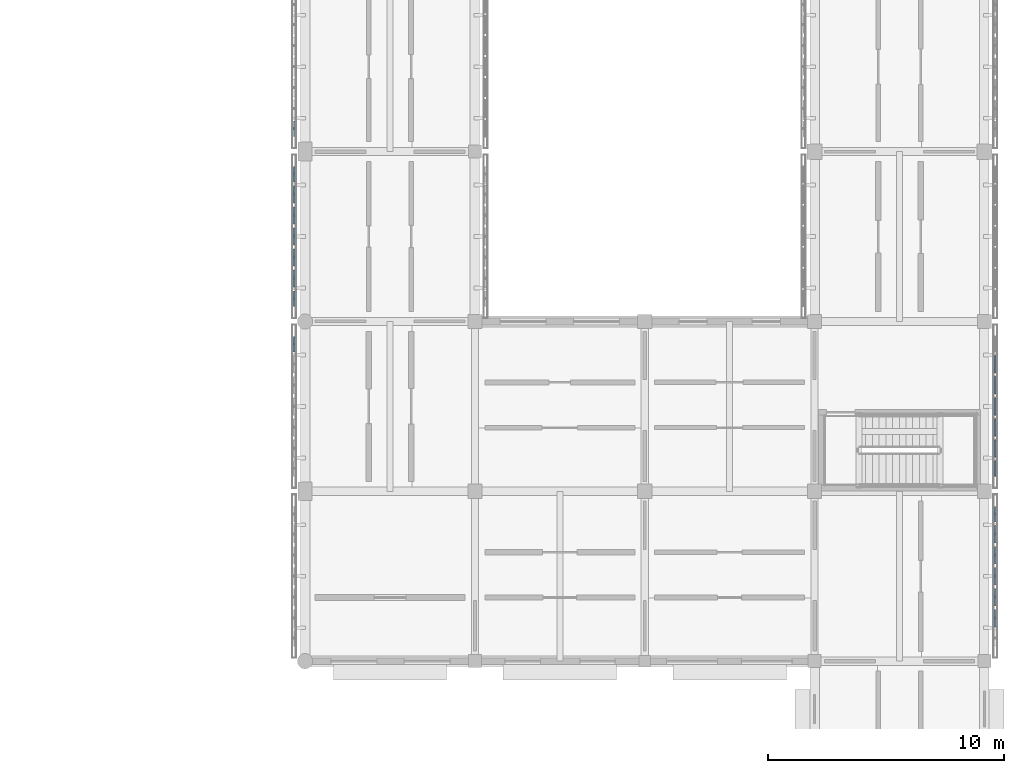
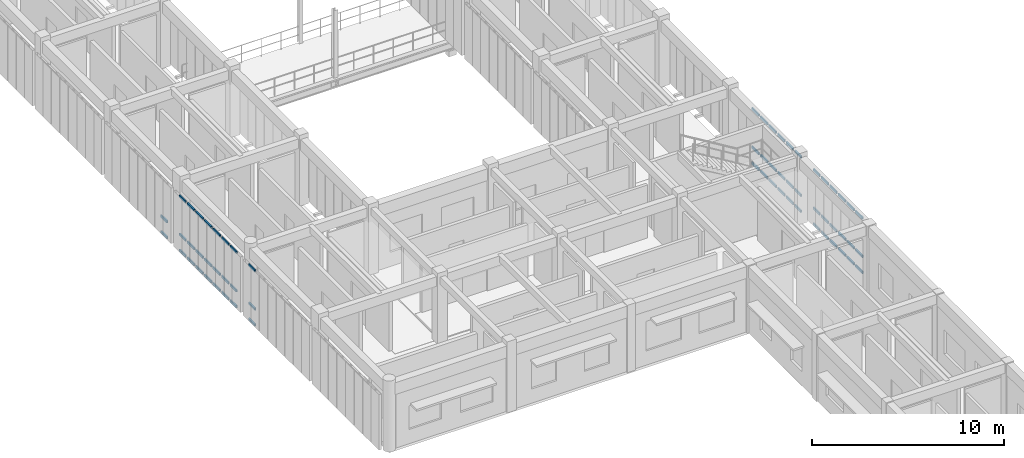
# One storey, part 84 of 171: 62 members, 5 elements without a shape of their own.
"""IFC4 building model written with IfcOpenShell, lengths in metres."""

from ifc_helpers import new_model, si_unit, direction, frame, origin, origin_2d, place, context, subcontext, project, spatial, hollow_rectangle, extrude, material, material_profile, profile_set, type_object, element, aggregate, save


model = new_model("IFC4")

# Units and contexts
model_context = context("Model", 3, precision=1e-05, world=origin(), true_north=direction((0.0, 1.0)))
body_context = subcontext(model_context, "Body", "Model", "MODEL_VIEW")
ifc_project = project(units=[si_unit("LENGTHUNIT", "METRE"), si_unit("AREAUNIT", "SQUARE_METRE"), si_unit("VOLUMEUNIT", "CUBIC_METRE"), si_unit("PLANEANGLEUNIT", "RADIAN"), si_unit("MASSUNIT", "GRAM", prefix="KILO")], contexts=[model_context])

# Site, building, storey
site_placement = place(None, origin())
site = spatial("IfcSite", under=ifc_project, at=site_placement, CompositionType="ELEMENT")
building_placement = place(site_placement, origin())
building = spatial("IfcBuilding", under=site, at=building_placement, Name="Aldebral Square Health Centre", CompositionType="ELEMENT")
storey_placement = place(building_placement, frame((0.0, 0.0, 4.5)))
storey = spatial("IfcBuildingStorey", under=building, at=storey_placement, Name="L01", CompositionType="ELEMENT", Elevation=4.5)

# Curtain wall, members
ifc_material_1 = material(Name="Aluminium and low-E solar glass", Category="aluminium")
curtain_wall_type = type_object("IfcCurtainWallType", Name="CW-FIN-SYS", PredefinedType="USERDEFINED", material=ifc_material_1)
curtain_wall_1_placement = place(storey_placement, origin())
curtain_wall_1 = element("IfcCurtainWall", 1, at=curtain_wall_1_placement, inside=storey, type_object=curtain_wall_type, Name="L01 V5 finned curtain wall L01-V5-19-08-W", ObjectType="SOLAR_CURTAIN_WALL", PredefinedType="USERDEFINED")
ifc_material_2 = material(Name="Anodised aluminium transom", Category="aluminium")
ifc_material_profile = material_profile(ifc_material_2, hollow_rectangle(XDim=0.074951171875, YDim=0.14990234375, WallThickness=0.00390625, at=origin_2d()), Name="CWT 75x150x4")
ifc_profile_set = profile_set([ifc_material_profile], Name="Anodised aluminium transom")
member_type = type_object("IfcMemberType", Name="CWT-STD", PredefinedType="USERDEFINED", material=ifc_profile_set)
member_1_placement = place(storey_placement, frame((136.340087890625, 64.159912109375, 0.03759765625), z_axis=(0.0, -1.0, 0.0), x_axis=(1.0, 0.0, 0.0)))
member_1 = element("IfcMember", 2, at=member_1_placement, type_object=member_type, Name="CW1 transom 1.1", ObjectType="TRANSOM", PredefinedType="USERDEFINED", context=body_context, shape_type="SweptSolid", body=[
    extrude(hollow_rectangle(XDim=0.074951171875, YDim=0.14990234375, WallThickness=0.00390625, at=origin_2d()), origin(), (0.0, 0.0, 1.0), 0.6513671875),
])
member_2_placement = place(storey_placement, frame((136.340087890625, 64.159912109375, 1.050048828125), z_axis=(0.0, -1.0, 0.0), x_axis=(1.0, 0.0, 0.0)))
member_2 = element("IfcMember", 3, at=member_2_placement, type_object=member_type, Name="CW1 transom 1.2", ObjectType="TRANSOM", PredefinedType="USERDEFINED", context=body_context, shape_type="SweptSolid", body=[
    extrude(hollow_rectangle(XDim=0.074951171875, YDim=0.14990234375, WallThickness=0.00390625, at=origin_2d()), origin(), (0.0, 0.0, 1.0), 0.6513671875),
])
member_3_placement = place(storey_placement, frame((136.340087890625, 64.159912109375, 3.482421875), z_axis=(0.0, -1.0, 0.0), x_axis=(1.0, 0.0, 0.0)))
member_3 = element("IfcMember", 4, at=member_3_placement, type_object=member_type, Name="CW1 transom 1.3", ObjectType="TRANSOM", PredefinedType="USERDEFINED", context=body_context, shape_type="SweptSolid", body=[
    extrude(hollow_rectangle(XDim=0.074951171875, YDim=0.14990234375, WallThickness=0.00390625, at=origin_2d()), origin(), (0.0, 0.0, 1.0), 0.6513671875),
])
aggregate(curtain_wall_1, [member_1, member_2, member_3])

curtain_wall_2_placement = place(storey_placement, origin())
curtain_wall_2 = element("IfcCurtainWall", 5, at=curtain_wall_2_placement, inside=storey, type_object=curtain_wall_type, Name="L01 V5 finned curtain wall L01-V5-19-09-W", ObjectType="SOLAR_CURTAIN_WALL", PredefinedType="USERDEFINED")
member_4_placement = place(storey_placement, frame((136.340087890625, 71.360107421875, 0.03759765625), z_axis=(0.0, -1.0, 0.0), x_axis=(1.0, 0.0, 0.0)))
member_4 = element("IfcMember", 6, at=member_4_placement, type_object=member_type, Name="CW1 transom 1.1", ObjectType="TRANSOM", PredefinedType="USERDEFINED", context=body_context, shape_type="SweptSolid", body=[
    extrude(hollow_rectangle(XDim=0.074951171875, YDim=0.14990234375, WallThickness=0.00390625, at=origin_2d()), origin(), (0.0, 0.0, 1.0), 0.651611328125),
])
member_5_placement = place(storey_placement, frame((136.340087890625, 71.360107421875, 1.050048828125), z_axis=(0.0, -1.0, 0.0), x_axis=(1.0, 0.0, 0.0)))
member_5 = element("IfcMember", 7, at=member_5_placement, type_object=member_type, Name="CW1 transom 1.2", ObjectType="TRANSOM", PredefinedType="USERDEFINED", context=body_context, shape_type="SweptSolid", body=[
    extrude(hollow_rectangle(XDim=0.074951171875, YDim=0.14990234375, WallThickness=0.00390625, at=origin_2d()), origin(), (0.0, 0.0, 1.0), 0.651611328125),
])
member_6_placement = place(storey_placement, frame((136.340087890625, 71.360107421875, 3.482421875), z_axis=(0.0, -1.0, 0.0), x_axis=(1.0, 0.0, 0.0)))
member_6 = element("IfcMember", 8, at=member_6_placement, type_object=member_type, Name="CW1 transom 1.3", ObjectType="TRANSOM", PredefinedType="USERDEFINED", context=body_context, shape_type="SweptSolid", body=[
    extrude(hollow_rectangle(XDim=0.074951171875, YDim=0.14990234375, WallThickness=0.00390625, at=origin_2d()), origin(), (0.0, 0.0, 1.0), 0.651611328125),
])
member_7_placement = place(storey_placement, frame((136.340087890625, 70.548583984375, 0.03759765625), z_axis=(0.0, -1.0, 0.0), x_axis=(1.0, 0.0, 0.0)))
member_7 = element("IfcMember", 9, at=member_7_placement, type_object=member_type, Name="CW1 transom 2.1", ObjectType="TRANSOM", PredefinedType="USERDEFINED", context=body_context, shape_type="SweptSolid", body=[
    extrude(hollow_rectangle(XDim=0.074951171875, YDim=0.14990234375, WallThickness=0.00390625, at=origin_2d()), origin(), (0.0, 0.0, 1.0), 0.7314453125),
])
member_8_placement = place(storey_placement, frame((136.340087890625, 70.548583984375, 1.050048828125), z_axis=(0.0, -1.0, 0.0), x_axis=(1.0, 0.0, 0.0)))
member_8 = element("IfcMember", 10, at=member_8_placement, type_object=member_type, Name="CW1 transom 2.2", ObjectType="TRANSOM", PredefinedType="USERDEFINED", context=body_context, shape_type="SweptSolid", body=[
    extrude(hollow_rectangle(XDim=0.074951171875, YDim=0.14990234375, WallThickness=0.00390625, at=origin_2d()), origin(), (0.0, 0.0, 1.0), 0.7314453125),
])
member_9_placement = place(storey_placement, frame((136.340087890625, 70.548583984375, 3.482421875), z_axis=(0.0, -1.0, 0.0), x_axis=(1.0, 0.0, 0.0)))
member_9 = element("IfcMember", 11, at=member_9_placement, type_object=member_type, Name="CW1 transom 2.3", ObjectType="TRANSOM", PredefinedType="USERDEFINED", context=body_context, shape_type="SweptSolid", body=[
    extrude(hollow_rectangle(XDim=0.074951171875, YDim=0.14990234375, WallThickness=0.00390625, at=origin_2d()), origin(), (0.0, 0.0, 1.0), 0.7314453125),
])
member_10_placement = place(storey_placement, frame((136.340087890625, 69.6572265625, 0.03759765625), z_axis=(0.0, -1.0, 0.0), x_axis=(1.0, 0.0, 0.0)))
member_10 = element("IfcMember", 12, at=member_10_placement, type_object=member_type, Name="CW1 transom 3.1", ObjectType="TRANSOM", PredefinedType="USERDEFINED", context=body_context, shape_type="SweptSolid", body=[
    extrude(hollow_rectangle(XDim=0.074951171875, YDim=0.14990234375, WallThickness=0.00390625, at=origin_2d()), origin(), (0.0, 0.0, 1.0), 0.7314453125),
])
member_11_placement = place(storey_placement, frame((136.340087890625, 69.6572265625, 1.050048828125), z_axis=(0.0, -1.0, 0.0), x_axis=(1.0, 0.0, 0.0)))
member_11 = element("IfcMember", 13, at=member_11_placement, type_object=member_type, Name="CW1 transom 3.2", ObjectType="TRANSOM", PredefinedType="USERDEFINED", context=body_context, shape_type="SweptSolid", body=[
    extrude(hollow_rectangle(XDim=0.074951171875, YDim=0.14990234375, WallThickness=0.00390625, at=origin_2d()), origin(), (0.0, 0.0, 1.0), 0.7314453125),
])
member_12_placement = place(storey_placement, frame((136.340087890625, 69.6572265625, 3.482421875), z_axis=(0.0, -1.0, 0.0), x_axis=(1.0, 0.0, 0.0)))
member_12 = element("IfcMember", 14, at=member_12_placement, type_object=member_type, Name="CW1 transom 3.3", ObjectType="TRANSOM", PredefinedType="USERDEFINED", context=body_context, shape_type="SweptSolid", body=[
    extrude(hollow_rectangle(XDim=0.074951171875, YDim=0.14990234375, WallThickness=0.00390625, at=origin_2d()), origin(), (0.0, 0.0, 1.0), 0.7314453125),
])
member_13_placement = place(storey_placement, frame((136.340087890625, 68.765625, 0.03759765625), z_axis=(0.0, -1.0, 0.0), x_axis=(1.0, 0.0, 0.0)))
member_13 = element("IfcMember", 15, at=member_13_placement, type_object=member_type, Name="CW1 transom 4.1", ObjectType="TRANSOM", PredefinedType="USERDEFINED", context=body_context, shape_type="SweptSolid", body=[
    extrude(hollow_rectangle(XDim=0.074951171875, YDim=0.14990234375, WallThickness=0.00390625, at=origin_2d()), origin(), (0.0, 0.0, 1.0), 0.7314453125),
])
member_14_placement = place(storey_placement, frame((136.340087890625, 68.765625, 1.050048828125), z_axis=(0.0, -1.0, 0.0), x_axis=(1.0, 0.0, 0.0)))
member_14 = element("IfcMember", 16, at=member_14_placement, type_object=member_type, Name="CW1 transom 4.2", ObjectType="TRANSOM", PredefinedType="USERDEFINED", context=body_context, shape_type="SweptSolid", body=[
    extrude(hollow_rectangle(XDim=0.074951171875, YDim=0.14990234375, WallThickness=0.00390625, at=origin_2d()), origin(), (0.0, 0.0, 1.0), 0.7314453125),
])
member_15_placement = place(storey_placement, frame((136.340087890625, 68.765625, 3.482421875), z_axis=(0.0, -1.0, 0.0), x_axis=(1.0, 0.0, 0.0)))
member_15 = element("IfcMember", 17, at=member_15_placement, type_object=member_type, Name="CW1 transom 4.3", ObjectType="TRANSOM", PredefinedType="USERDEFINED", context=body_context, shape_type="SweptSolid", body=[
    extrude(hollow_rectangle(XDim=0.074951171875, YDim=0.14990234375, WallThickness=0.00390625, at=origin_2d()), origin(), (0.0, 0.0, 1.0), 0.7314453125),
])
member_16_placement = place(storey_placement, frame((136.340087890625, 67.874267578125, 0.03759765625), z_axis=(0.0, -1.0, 0.0), x_axis=(1.0, 0.0, 0.0)))
member_16 = element("IfcMember", 18, at=member_16_placement, type_object=member_type, Name="CW1 transom 5.1", ObjectType="TRANSOM", PredefinedType="USERDEFINED", context=body_context, shape_type="SweptSolid", body=[
    extrude(hollow_rectangle(XDim=0.074951171875, YDim=0.14990234375, WallThickness=0.00390625, at=origin_2d()), origin(), (0.0, 0.0, 1.0), 0.7314453125),
])
member_17_placement = place(storey_placement, frame((136.340087890625, 67.874267578125, 1.050048828125), z_axis=(0.0, -1.0, 0.0), x_axis=(1.0, 0.0, 0.0)))
member_17 = element("IfcMember", 19, at=member_17_placement, type_object=member_type, Name="CW1 transom 5.2", ObjectType="TRANSOM", PredefinedType="USERDEFINED", context=body_context, shape_type="SweptSolid", body=[
    extrude(hollow_rectangle(XDim=0.074951171875, YDim=0.14990234375, WallThickness=0.00390625, at=origin_2d()), origin(), (0.0, 0.0, 1.0), 0.7314453125),
])
member_18_placement = place(storey_placement, frame((136.340087890625, 67.874267578125, 3.482421875), z_axis=(0.0, -1.0, 0.0), x_axis=(1.0, 0.0, 0.0)))
member_18 = element("IfcMember", 20, at=member_18_placement, type_object=member_type, Name="CW1 transom 5.3", ObjectType="TRANSOM", PredefinedType="USERDEFINED", context=body_context, shape_type="SweptSolid", body=[
    extrude(hollow_rectangle(XDim=0.074951171875, YDim=0.14990234375, WallThickness=0.00390625, at=origin_2d()), origin(), (0.0, 0.0, 1.0), 0.7314453125),
])
member_19_placement = place(storey_placement, frame((136.340087890625, 66.98291015625, 0.03759765625), z_axis=(0.0, -1.0, 0.0), x_axis=(1.0, 0.0, 0.0)))
member_19 = element("IfcMember", 21, at=member_19_placement, type_object=member_type, Name="CW1 transom 6.1", ObjectType="TRANSOM", PredefinedType="USERDEFINED", context=body_context, shape_type="SweptSolid", body=[
    extrude(hollow_rectangle(XDim=0.074951171875, YDim=0.14990234375, WallThickness=0.00390625, at=origin_2d()), origin(), (0.0, 0.0, 1.0), 0.7314453125),
])
member_20_placement = place(storey_placement, frame((136.340087890625, 66.98291015625, 1.050048828125), z_axis=(0.0, -1.0, 0.0), x_axis=(1.0, 0.0, 0.0)))
member_20 = element("IfcMember", 22, at=member_20_placement, type_object=member_type, Name="CW1 transom 6.2", ObjectType="TRANSOM", PredefinedType="USERDEFINED", context=body_context, shape_type="SweptSolid", body=[
    extrude(hollow_rectangle(XDim=0.074951171875, YDim=0.14990234375, WallThickness=0.00390625, at=origin_2d()), origin(), (0.0, 0.0, 1.0), 0.7314453125),
])
member_21_placement = place(storey_placement, frame((136.340087890625, 66.98291015625, 3.482421875), z_axis=(0.0, -1.0, 0.0), x_axis=(1.0, 0.0, 0.0)))
member_21 = element("IfcMember", 23, at=member_21_placement, type_object=member_type, Name="CW1 transom 6.3", ObjectType="TRANSOM", PredefinedType="USERDEFINED", context=body_context, shape_type="SweptSolid", body=[
    extrude(hollow_rectangle(XDim=0.074951171875, YDim=0.14990234375, WallThickness=0.00390625, at=origin_2d()), origin(), (0.0, 0.0, 1.0), 0.7314453125),
])
member_22_placement = place(storey_placement, frame((136.340087890625, 66.09130859375, 0.03759765625), z_axis=(0.0, -1.0, 0.0), x_axis=(1.0, 0.0, 0.0)))
member_22 = element("IfcMember", 24, at=member_22_placement, type_object=member_type, Name="CW1 transom 7.1", ObjectType="TRANSOM", PredefinedType="USERDEFINED", context=body_context, shape_type="SweptSolid", body=[
    extrude(hollow_rectangle(XDim=0.074951171875, YDim=0.14990234375, WallThickness=0.00390625, at=origin_2d()), origin(), (0.0, 0.0, 1.0), 0.6513671875),
])
member_23_placement = place(storey_placement, frame((136.340087890625, 66.09130859375, 1.050048828125), z_axis=(0.0, -1.0, 0.0), x_axis=(1.0, 0.0, 0.0)))
member_23 = element("IfcMember", 25, at=member_23_placement, type_object=member_type, Name="CW1 transom 7.2", ObjectType="TRANSOM", PredefinedType="USERDEFINED", context=body_context, shape_type="SweptSolid", body=[
    extrude(hollow_rectangle(XDim=0.074951171875, YDim=0.14990234375, WallThickness=0.00390625, at=origin_2d()), origin(), (0.0, 0.0, 1.0), 0.6513671875),
])
member_24_placement = place(storey_placement, frame((136.340087890625, 66.09130859375, 3.482421875), z_axis=(0.0, -1.0, 0.0), x_axis=(1.0, 0.0, 0.0)))
member_24 = element("IfcMember", 26, at=member_24_placement, type_object=member_type, Name="CW1 transom 7.3", ObjectType="TRANSOM", PredefinedType="USERDEFINED", context=body_context, shape_type="SweptSolid", body=[
    extrude(hollow_rectangle(XDim=0.074951171875, YDim=0.14990234375, WallThickness=0.00390625, at=origin_2d()), origin(), (0.0, 0.0, 1.0), 0.6513671875),
])
aggregate(curtain_wall_2, [member_4, member_5, member_6, member_7, member_8, member_9, member_10, member_11, member_12, member_13, member_14, member_15, member_16, member_17, member_18, member_19, member_20, member_21, member_22, member_23, member_24])

curtain_wall_3_placement = place(storey_placement, origin())
curtain_wall_3 = element("IfcCurtainWall", 27, at=curtain_wall_3_placement, inside=storey, type_object=curtain_wall_type, Name="L01 V5 finned curtain wall L01-V5-19-10-W", ObjectType="SOLAR_CURTAIN_WALL", PredefinedType="USERDEFINED")
member_25_placement = place(storey_placement, frame((136.340087890625, 73.29150390625, 0.03759765625), z_axis=(0.0, -1.0, 0.0), x_axis=(1.0, 0.0, 0.0)))
member_25 = element("IfcMember", 28, at=member_25_placement, type_object=member_type, Name="CW1 transom 7.1", ObjectType="TRANSOM", PredefinedType="USERDEFINED", context=body_context, shape_type="SweptSolid", body=[
    extrude(hollow_rectangle(XDim=0.074951171875, YDim=0.14990234375, WallThickness=0.00390625, at=origin_2d()), origin(), (0.0, 0.0, 1.0), 0.651611328125),
])
member_26_placement = place(storey_placement, frame((136.340087890625, 73.29150390625, 1.050048828125), z_axis=(0.0, -1.0, 0.0), x_axis=(1.0, 0.0, 0.0)))
member_26 = element("IfcMember", 29, at=member_26_placement, type_object=member_type, Name="CW1 transom 7.2", ObjectType="TRANSOM", PredefinedType="USERDEFINED", context=body_context, shape_type="SweptSolid", body=[
    extrude(hollow_rectangle(XDim=0.074951171875, YDim=0.14990234375, WallThickness=0.00390625, at=origin_2d()), origin(), (0.0, 0.0, 1.0), 0.651611328125),
])
aggregate(curtain_wall_3, [member_25, member_26])

curtain_wall_4_placement = place(storey_placement, origin())
curtain_wall_4 = element("IfcCurtainWall", 30, at=curtain_wall_4_placement, inside=storey, type_object=curtain_wall_type, Name="L01 V5 finned curtain wall L01-V5-22-07-E", ObjectType="SOLAR_CURTAIN_WALL", PredefinedType="USERDEFINED")
member_27_placement = place(storey_placement, frame((166.06005859375, 51.851318359375, 0.03759765625), z_axis=(0.0, 1.0, 0.0), x_axis=(-1.0, 0.0, 0.0)))
member_27 = element("IfcMember", 31, at=member_27_placement, type_object=member_type, Name="CW1 transom 2.1", ObjectType="TRANSOM", PredefinedType="USERDEFINED", context=body_context, shape_type="SweptSolid", body=[
    extrude(hollow_rectangle(XDim=0.074951171875, YDim=0.14990234375, WallThickness=0.00390625, at=origin_2d()), origin(), (0.0, 0.0, 1.0), 0.7314453125),
])
member_28_placement = place(storey_placement, frame((166.06005859375, 51.851318359375, 1.050048828125), z_axis=(0.0, 1.0, 0.0), x_axis=(-1.0, 0.0, 0.0)))
member_28 = element("IfcMember", 32, at=member_28_placement, type_object=member_type, Name="CW1 transom 2.2", ObjectType="TRANSOM", PredefinedType="USERDEFINED", context=body_context, shape_type="SweptSolid", body=[
    extrude(hollow_rectangle(XDim=0.074951171875, YDim=0.14990234375, WallThickness=0.00390625, at=origin_2d()), origin(), (0.0, 0.0, 1.0), 0.7314453125),
])
member_29_placement = place(storey_placement, frame((166.06005859375, 51.851318359375, 3.482421875), z_axis=(0.0, 1.0, 0.0), x_axis=(-1.0, 0.0, 0.0)))
member_29 = element("IfcMember", 33, at=member_29_placement, type_object=member_type, Name="CW1 transom 2.3", ObjectType="TRANSOM", PredefinedType="USERDEFINED", context=body_context, shape_type="SweptSolid", body=[
    extrude(hollow_rectangle(XDim=0.074951171875, YDim=0.14990234375, WallThickness=0.00390625, at=origin_2d()), origin(), (0.0, 0.0, 1.0), 0.7314453125),
])
member_30_placement = place(storey_placement, frame((166.06005859375, 52.742919921875, 0.03759765625), z_axis=(0.0, 1.0, 0.0), x_axis=(-1.0, 0.0, 0.0)))
member_30 = element("IfcMember", 34, at=member_30_placement, type_object=member_type, Name="CW1 transom 3.1", ObjectType="TRANSOM", PredefinedType="USERDEFINED", context=body_context, shape_type="SweptSolid", body=[
    extrude(hollow_rectangle(XDim=0.074951171875, YDim=0.14990234375, WallThickness=0.00390625, at=origin_2d()), origin(), (0.0, 0.0, 1.0), 0.7314453125),
])
member_31_placement = place(storey_placement, frame((166.06005859375, 52.742919921875, 1.050048828125), z_axis=(0.0, 1.0, 0.0), x_axis=(-1.0, 0.0, 0.0)))
member_31 = element("IfcMember", 35, at=member_31_placement, type_object=member_type, Name="CW1 transom 3.2", ObjectType="TRANSOM", PredefinedType="USERDEFINED", context=body_context, shape_type="SweptSolid", body=[
    extrude(hollow_rectangle(XDim=0.074951171875, YDim=0.14990234375, WallThickness=0.00390625, at=origin_2d()), origin(), (0.0, 0.0, 1.0), 0.7314453125),
])
member_32_placement = place(storey_placement, frame((166.06005859375, 52.742919921875, 3.482421875), z_axis=(0.0, 1.0, 0.0), x_axis=(-1.0, 0.0, 0.0)))
member_32 = element("IfcMember", 36, at=member_32_placement, type_object=member_type, Name="CW1 transom 3.3", ObjectType="TRANSOM", PredefinedType="USERDEFINED", context=body_context, shape_type="SweptSolid", body=[
    extrude(hollow_rectangle(XDim=0.074951171875, YDim=0.14990234375, WallThickness=0.00390625, at=origin_2d()), origin(), (0.0, 0.0, 1.0), 0.7314453125),
])
member_33_placement = place(storey_placement, frame((166.06005859375, 53.63427734375, 0.03759765625), z_axis=(0.0, 1.0, 0.0), x_axis=(-1.0, 0.0, 0.0)))
member_33 = element("IfcMember", 37, at=member_33_placement, type_object=member_type, Name="CW1 transom 4.1", ObjectType="TRANSOM", PredefinedType="USERDEFINED", context=body_context, shape_type="SweptSolid", body=[
    extrude(hollow_rectangle(XDim=0.074951171875, YDim=0.14990234375, WallThickness=0.00390625, at=origin_2d()), origin(), (0.0, 0.0, 1.0), 0.7314453125),
])
member_34_placement = place(storey_placement, frame((166.06005859375, 53.63427734375, 1.050048828125), z_axis=(0.0, 1.0, 0.0), x_axis=(-1.0, 0.0, 0.0)))
member_34 = element("IfcMember", 38, at=member_34_placement, type_object=member_type, Name="CW1 transom 4.2", ObjectType="TRANSOM", PredefinedType="USERDEFINED", context=body_context, shape_type="SweptSolid", body=[
    extrude(hollow_rectangle(XDim=0.074951171875, YDim=0.14990234375, WallThickness=0.00390625, at=origin_2d()), origin(), (0.0, 0.0, 1.0), 0.7314453125),
])
member_35_placement = place(storey_placement, frame((166.06005859375, 53.63427734375, 3.482421875), z_axis=(0.0, 1.0, 0.0), x_axis=(-1.0, 0.0, 0.0)))
member_35 = element("IfcMember", 39, at=member_35_placement, type_object=member_type, Name="CW1 transom 4.3", ObjectType="TRANSOM", PredefinedType="USERDEFINED", context=body_context, shape_type="SweptSolid", body=[
    extrude(hollow_rectangle(XDim=0.074951171875, YDim=0.14990234375, WallThickness=0.00390625, at=origin_2d()), origin(), (0.0, 0.0, 1.0), 0.7314453125),
])
member_36_placement = place(storey_placement, frame((166.06005859375, 54.525634765625, 0.03759765625), z_axis=(0.0, 1.0, 0.0), x_axis=(-1.0, 0.0, 0.0)))
member_36 = element("IfcMember", 40, at=member_36_placement, type_object=member_type, Name="CW1 transom 5.1", ObjectType="TRANSOM", PredefinedType="USERDEFINED", context=body_context, shape_type="SweptSolid", body=[
    extrude(hollow_rectangle(XDim=0.074951171875, YDim=0.14990234375, WallThickness=0.00390625, at=origin_2d()), origin(), (0.0, 0.0, 1.0), 0.7314453125),
])
member_37_placement = place(storey_placement, frame((166.06005859375, 54.525634765625, 1.050048828125), z_axis=(0.0, 1.0, 0.0), x_axis=(-1.0, 0.0, 0.0)))
member_37 = element("IfcMember", 41, at=member_37_placement, type_object=member_type, Name="CW1 transom 5.2", ObjectType="TRANSOM", PredefinedType="USERDEFINED", context=body_context, shape_type="SweptSolid", body=[
    extrude(hollow_rectangle(XDim=0.074951171875, YDim=0.14990234375, WallThickness=0.00390625, at=origin_2d()), origin(), (0.0, 0.0, 1.0), 0.7314453125),
])
member_38_placement = place(storey_placement, frame((166.06005859375, 54.525634765625, 3.482421875), z_axis=(0.0, 1.0, 0.0), x_axis=(-1.0, 0.0, 0.0)))
member_38 = element("IfcMember", 42, at=member_38_placement, type_object=member_type, Name="CW1 transom 5.3", ObjectType="TRANSOM", PredefinedType="USERDEFINED", context=body_context, shape_type="SweptSolid", body=[
    extrude(hollow_rectangle(XDim=0.074951171875, YDim=0.14990234375, WallThickness=0.00390625, at=origin_2d()), origin(), (0.0, 0.0, 1.0), 0.7314453125),
])
member_39_placement = place(storey_placement, frame((166.06005859375, 55.417236328125, 0.03759765625), z_axis=(0.0, 1.0, 0.0), x_axis=(-1.0, 0.0, 0.0)))
member_39 = element("IfcMember", 43, at=member_39_placement, type_object=member_type, Name="CW1 transom 6.1", ObjectType="TRANSOM", PredefinedType="USERDEFINED", context=body_context, shape_type="SweptSolid", body=[
    extrude(hollow_rectangle(XDim=0.074951171875, YDim=0.14990234375, WallThickness=0.00390625, at=origin_2d()), origin(), (0.0, 0.0, 1.0), 0.7314453125),
])
member_40_placement = place(storey_placement, frame((166.06005859375, 55.417236328125, 1.050048828125), z_axis=(0.0, 1.0, 0.0), x_axis=(-1.0, 0.0, 0.0)))
member_40 = element("IfcMember", 44, at=member_40_placement, type_object=member_type, Name="CW1 transom 6.2", ObjectType="TRANSOM", PredefinedType="USERDEFINED", context=body_context, shape_type="SweptSolid", body=[
    extrude(hollow_rectangle(XDim=0.074951171875, YDim=0.14990234375, WallThickness=0.00390625, at=origin_2d()), origin(), (0.0, 0.0, 1.0), 0.7314453125),
])
member_41_placement = place(storey_placement, frame((166.06005859375, 55.417236328125, 3.482421875), z_axis=(0.0, 1.0, 0.0), x_axis=(-1.0, 0.0, 0.0)))
member_41 = element("IfcMember", 45, at=member_41_placement, type_object=member_type, Name="CW1 transom 6.3", ObjectType="TRANSOM", PredefinedType="USERDEFINED", context=body_context, shape_type="SweptSolid", body=[
    extrude(hollow_rectangle(XDim=0.074951171875, YDim=0.14990234375, WallThickness=0.00390625, at=origin_2d()), origin(), (0.0, 0.0, 1.0), 0.7314453125),
])
member_42_placement = place(storey_placement, frame((166.06005859375, 56.30859375, 0.03759765625), z_axis=(0.0, 1.0, 0.0), x_axis=(-1.0, 0.0, 0.0)))
member_42 = element("IfcMember", 46, at=member_42_placement, type_object=member_type, Name="CW1 transom 7.1", ObjectType="TRANSOM", PredefinedType="USERDEFINED", context=body_context, shape_type="SweptSolid", body=[
    extrude(hollow_rectangle(XDim=0.074951171875, YDim=0.14990234375, WallThickness=0.00390625, at=origin_2d()), origin(), (0.0, 0.0, 1.0), 0.6513671875),
])
member_43_placement = place(storey_placement, frame((166.06005859375, 56.30859375, 1.050048828125), z_axis=(0.0, 1.0, 0.0), x_axis=(-1.0, 0.0, 0.0)))
member_43 = element("IfcMember", 47, at=member_43_placement, type_object=member_type, Name="CW1 transom 7.2", ObjectType="TRANSOM", PredefinedType="USERDEFINED", context=body_context, shape_type="SweptSolid", body=[
    extrude(hollow_rectangle(XDim=0.074951171875, YDim=0.14990234375, WallThickness=0.00390625, at=origin_2d()), origin(), (0.0, 0.0, 1.0), 0.6513671875),
])
member_44_placement = place(storey_placement, frame((166.06005859375, 56.30859375, 3.482421875), z_axis=(0.0, 1.0, 0.0), x_axis=(-1.0, 0.0, 0.0)))
member_44 = element("IfcMember", 48, at=member_44_placement, type_object=member_type, Name="CW1 transom 7.3", ObjectType="TRANSOM", PredefinedType="USERDEFINED", context=body_context, shape_type="SweptSolid", body=[
    extrude(hollow_rectangle(XDim=0.074951171875, YDim=0.14990234375, WallThickness=0.00390625, at=origin_2d()), origin(), (0.0, 0.0, 1.0), 0.6513671875),
])
aggregate(curtain_wall_4, [member_27, member_28, member_29, member_30, member_31, member_32, member_33, member_34, member_35, member_36, member_37, member_38, member_39, member_40, member_41, member_42, member_43, member_44])

curtain_wall_5_placement = place(storey_placement, origin())
curtain_wall_5 = element("IfcCurtainWall", 49, at=curtain_wall_5_placement, inside=storey, type_object=curtain_wall_type, Name="L01 V5 finned curtain wall L01-V5-22-08-E", ObjectType="SOLAR_CURTAIN_WALL", PredefinedType="USERDEFINED")
member_45_placement = place(storey_placement, frame((166.06005859375, 58.239990234375, 0.03759765625), z_axis=(0.0, 1.0, 0.0), x_axis=(-1.0, 0.0, 0.0)))
member_45 = element("IfcMember", 50, at=member_45_placement, type_object=member_type, Name="CW1 transom 1.1", ObjectType="TRANSOM", PredefinedType="USERDEFINED", context=body_context, shape_type="SweptSolid", body=[
    extrude(hollow_rectangle(XDim=0.074951171875, YDim=0.14990234375, WallThickness=0.00390625, at=origin_2d()), origin(), (0.0, 0.0, 1.0), 0.6513671875),
])
member_46_placement = place(storey_placement, frame((166.06005859375, 58.239990234375, 1.050048828125), z_axis=(0.0, 1.0, 0.0), x_axis=(-1.0, 0.0, 0.0)))
member_46 = element("IfcMember", 51, at=member_46_placement, type_object=member_type, Name="CW1 transom 1.2", ObjectType="TRANSOM", PredefinedType="USERDEFINED", context=body_context, shape_type="SweptSolid", body=[
    extrude(hollow_rectangle(XDim=0.074951171875, YDim=0.14990234375, WallThickness=0.00390625, at=origin_2d()), origin(), (0.0, 0.0, 1.0), 0.6513671875),
])
member_47_placement = place(storey_placement, frame((166.06005859375, 58.239990234375, 3.482421875), z_axis=(0.0, 1.0, 0.0), x_axis=(-1.0, 0.0, 0.0)))
member_47 = element("IfcMember", 52, at=member_47_placement, type_object=member_type, Name="CW1 transom 1.3", ObjectType="TRANSOM", PredefinedType="USERDEFINED", context=body_context, shape_type="SweptSolid", body=[
    extrude(hollow_rectangle(XDim=0.074951171875, YDim=0.14990234375, WallThickness=0.00390625, at=origin_2d()), origin(), (0.0, 0.0, 1.0), 0.6513671875),
])
member_48_placement = place(storey_placement, frame((166.06005859375, 59.051513671875, 0.03759765625), z_axis=(0.0, 1.0, 0.0), x_axis=(-1.0, 0.0, 0.0)))
member_48 = element("IfcMember", 53, at=member_48_placement, type_object=member_type, Name="CW1 transom 2.1", ObjectType="TRANSOM", PredefinedType="USERDEFINED", context=body_context, shape_type="SweptSolid", body=[
    extrude(hollow_rectangle(XDim=0.074951171875, YDim=0.14990234375, WallThickness=0.00390625, at=origin_2d()), origin(), (0.0, 0.0, 1.0), 0.7314453125),
])
member_49_placement = place(storey_placement, frame((166.06005859375, 59.051513671875, 1.050048828125), z_axis=(0.0, 1.0, 0.0), x_axis=(-1.0, 0.0, 0.0)))
member_49 = element("IfcMember", 54, at=member_49_placement, type_object=member_type, Name="CW1 transom 2.2", ObjectType="TRANSOM", PredefinedType="USERDEFINED", context=body_context, shape_type="SweptSolid", body=[
    extrude(hollow_rectangle(XDim=0.074951171875, YDim=0.14990234375, WallThickness=0.00390625, at=origin_2d()), origin(), (0.0, 0.0, 1.0), 0.7314453125),
])
member_50_placement = place(storey_placement, frame((166.06005859375, 59.051513671875, 3.482421875), z_axis=(0.0, 1.0, 0.0), x_axis=(-1.0, 0.0, 0.0)))
member_50 = element("IfcMember", 55, at=member_50_placement, type_object=member_type, Name="CW1 transom 2.3", ObjectType="TRANSOM", PredefinedType="USERDEFINED", context=body_context, shape_type="SweptSolid", body=[
    extrude(hollow_rectangle(XDim=0.074951171875, YDim=0.14990234375, WallThickness=0.00390625, at=origin_2d()), origin(), (0.0, 0.0, 1.0), 0.7314453125),
])
member_51_placement = place(storey_placement, frame((166.06005859375, 59.94287109375, 0.03759765625), z_axis=(0.0, 1.0, 0.0), x_axis=(-1.0, 0.0, 0.0)))
member_51 = element("IfcMember", 56, at=member_51_placement, type_object=member_type, Name="CW1 transom 3.1", ObjectType="TRANSOM", PredefinedType="USERDEFINED", context=body_context, shape_type="SweptSolid", body=[
    extrude(hollow_rectangle(XDim=0.074951171875, YDim=0.14990234375, WallThickness=0.00390625, at=origin_2d()), origin(), (0.0, 0.0, 1.0), 0.7314453125),
])
member_52_placement = place(storey_placement, frame((166.06005859375, 59.94287109375, 1.050048828125), z_axis=(0.0, 1.0, 0.0), x_axis=(-1.0, 0.0, 0.0)))
member_52 = element("IfcMember", 57, at=member_52_placement, type_object=member_type, Name="CW1 transom 3.2", ObjectType="TRANSOM", PredefinedType="USERDEFINED", context=body_context, shape_type="SweptSolid", body=[
    extrude(hollow_rectangle(XDim=0.074951171875, YDim=0.14990234375, WallThickness=0.00390625, at=origin_2d()), origin(), (0.0, 0.0, 1.0), 0.7314453125),
])
member_53_placement = place(storey_placement, frame((166.06005859375, 59.94287109375, 3.482421875), z_axis=(0.0, 1.0, 0.0), x_axis=(-1.0, 0.0, 0.0)))
member_53 = element("IfcMember", 58, at=member_53_placement, type_object=member_type, Name="CW1 transom 3.3", ObjectType="TRANSOM", PredefinedType="USERDEFINED", context=body_context, shape_type="SweptSolid", body=[
    extrude(hollow_rectangle(XDim=0.074951171875, YDim=0.14990234375, WallThickness=0.00390625, at=origin_2d()), origin(), (0.0, 0.0, 1.0), 0.7314453125),
])
member_54_placement = place(storey_placement, frame((166.06005859375, 60.834228515625, 0.03759765625), z_axis=(0.0, 1.0, 0.0), x_axis=(-1.0, 0.0, 0.0)))
member_54 = element("IfcMember", 59, at=member_54_placement, type_object=member_type, Name="CW1 transom 4.1", ObjectType="TRANSOM", PredefinedType="USERDEFINED", context=body_context, shape_type="SweptSolid", body=[
    extrude(hollow_rectangle(XDim=0.074951171875, YDim=0.14990234375, WallThickness=0.00390625, at=origin_2d()), origin(), (0.0, 0.0, 1.0), 0.7314453125),
])
member_55_placement = place(storey_placement, frame((166.06005859375, 60.834228515625, 1.050048828125), z_axis=(0.0, 1.0, 0.0), x_axis=(-1.0, 0.0, 0.0)))
member_55 = element("IfcMember", 60, at=member_55_placement, type_object=member_type, Name="CW1 transom 4.2", ObjectType="TRANSOM", PredefinedType="USERDEFINED", context=body_context, shape_type="SweptSolid", body=[
    extrude(hollow_rectangle(XDim=0.074951171875, YDim=0.14990234375, WallThickness=0.00390625, at=origin_2d()), origin(), (0.0, 0.0, 1.0), 0.7314453125),
])
member_56_placement = place(storey_placement, frame((166.06005859375, 60.834228515625, 3.482421875), z_axis=(0.0, 1.0, 0.0), x_axis=(-1.0, 0.0, 0.0)))
member_56 = element("IfcMember", 61, at=member_56_placement, type_object=member_type, Name="CW1 transom 4.3", ObjectType="TRANSOM", PredefinedType="USERDEFINED", context=body_context, shape_type="SweptSolid", body=[
    extrude(hollow_rectangle(XDim=0.074951171875, YDim=0.14990234375, WallThickness=0.00390625, at=origin_2d()), origin(), (0.0, 0.0, 1.0), 0.7314453125),
])
member_57_placement = place(storey_placement, frame((166.06005859375, 61.725830078125, 0.03759765625), z_axis=(0.0, 1.0, 0.0), x_axis=(-1.0, 0.0, 0.0)))
member_57 = element("IfcMember", 62, at=member_57_placement, type_object=member_type, Name="CW1 transom 5.1", ObjectType="TRANSOM", PredefinedType="USERDEFINED", context=body_context, shape_type="SweptSolid", body=[
    extrude(hollow_rectangle(XDim=0.074951171875, YDim=0.14990234375, WallThickness=0.00390625, at=origin_2d()), origin(), (0.0, 0.0, 1.0), 0.731201171875),
])
member_58_placement = place(storey_placement, frame((166.06005859375, 61.725830078125, 1.050048828125), z_axis=(0.0, 1.0, 0.0), x_axis=(-1.0, 0.0, 0.0)))
member_58 = element("IfcMember", 63, at=member_58_placement, type_object=member_type, Name="CW1 transom 5.2", ObjectType="TRANSOM", PredefinedType="USERDEFINED", context=body_context, shape_type="SweptSolid", body=[
    extrude(hollow_rectangle(XDim=0.074951171875, YDim=0.14990234375, WallThickness=0.00390625, at=origin_2d()), origin(), (0.0, 0.0, 1.0), 0.731201171875),
])
member_59_placement = place(storey_placement, frame((166.06005859375, 61.725830078125, 3.482421875), z_axis=(0.0, 1.0, 0.0), x_axis=(-1.0, 0.0, 0.0)))
member_59 = element("IfcMember", 64, at=member_59_placement, type_object=member_type, Name="CW1 transom 5.3", ObjectType="TRANSOM", PredefinedType="USERDEFINED", context=body_context, shape_type="SweptSolid", body=[
    extrude(hollow_rectangle(XDim=0.074951171875, YDim=0.14990234375, WallThickness=0.00390625, at=origin_2d()), origin(), (0.0, 0.0, 1.0), 0.731201171875),
])
member_60_placement = place(storey_placement, frame((166.06005859375, 62.6171875, 0.03759765625), z_axis=(0.0, 1.0, 0.0), x_axis=(-1.0, 0.0, 0.0)))
member_60 = element("IfcMember", 65, at=member_60_placement, type_object=member_type, Name="CW1 transom 6.1", ObjectType="TRANSOM", PredefinedType="USERDEFINED", context=body_context, shape_type="SweptSolid", body=[
    extrude(hollow_rectangle(XDim=0.074951171875, YDim=0.14990234375, WallThickness=0.00390625, at=origin_2d()), origin(), (0.0, 0.0, 1.0), 0.7314453125),
])
member_61_placement = place(storey_placement, frame((166.06005859375, 62.6171875, 1.050048828125), z_axis=(0.0, 1.0, 0.0), x_axis=(-1.0, 0.0, 0.0)))
member_61 = element("IfcMember", 66, at=member_61_placement, type_object=member_type, Name="CW1 transom 6.2", ObjectType="TRANSOM", PredefinedType="USERDEFINED", context=body_context, shape_type="SweptSolid", body=[
    extrude(hollow_rectangle(XDim=0.074951171875, YDim=0.14990234375, WallThickness=0.00390625, at=origin_2d()), origin(), (0.0, 0.0, 1.0), 0.7314453125),
])
member_62_placement = place(storey_placement, frame((166.06005859375, 62.6171875, 3.482421875), z_axis=(0.0, 1.0, 0.0), x_axis=(-1.0, 0.0, 0.0)))
member_62 = element("IfcMember", 67, at=member_62_placement, type_object=member_type, Name="CW1 transom 6.3", ObjectType="TRANSOM", PredefinedType="USERDEFINED", context=body_context, shape_type="SweptSolid", body=[
    extrude(hollow_rectangle(XDim=0.074951171875, YDim=0.14990234375, WallThickness=0.00390625, at=origin_2d()), origin(), (0.0, 0.0, 1.0), 0.7314453125),
])
aggregate(curtain_wall_5, [member_45, member_46, member_47, member_48, member_49, member_50, member_51, member_52, member_53, member_54, member_55, member_56, member_57, member_58, member_59, member_60, member_61, member_62])

save(model, "model.ifc")
